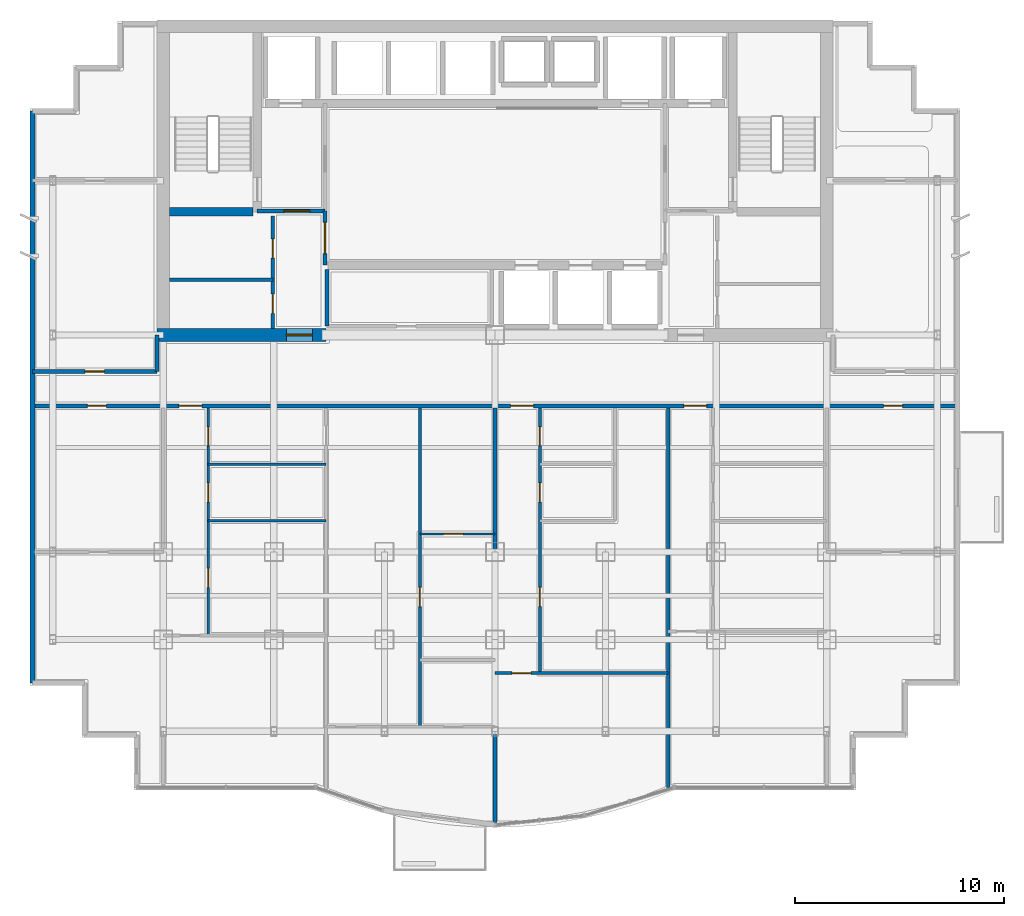
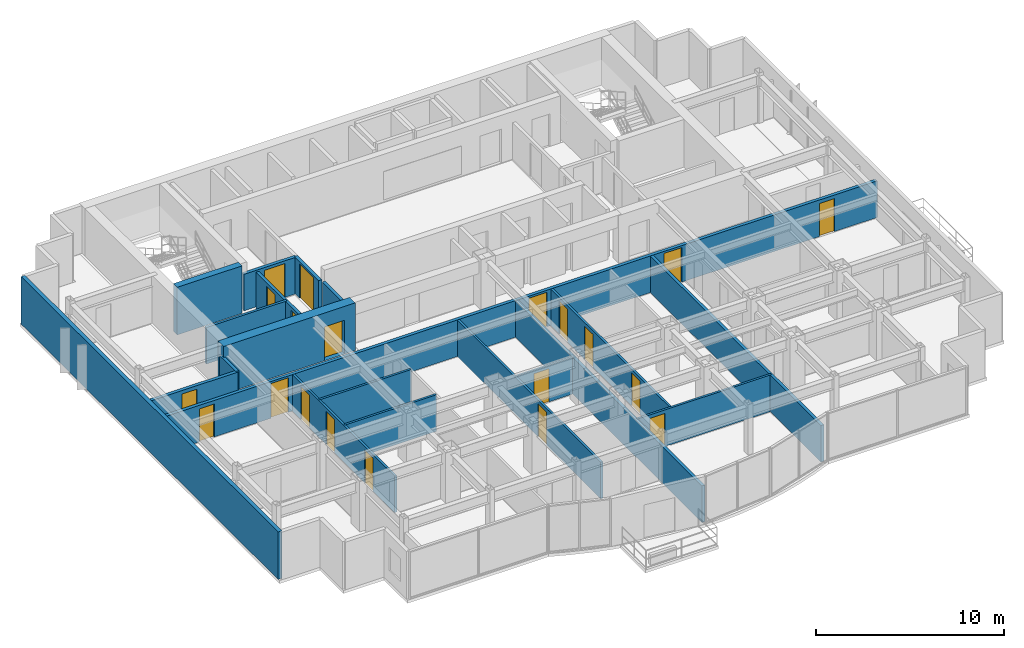
# One storey, part 6 of 11: 20 doors, 20 walls, 20 openings.
"""IFC4 building model written with IfcOpenShell, lengths in metres."""

from ifc_helpers import new_model, si_unit, direction, frame, frame_2d, origin, place, context, subcontext, project, spatial, rectangle, extrude, material, layer, layer_set, type_object, element, fill, save


model = new_model("IFC4")

# Units and contexts
model_context = context("Model", 3, precision=1e-05, world=origin(), true_north=direction((0.0, 1.0)))
body_context = subcontext(model_context, "Body", "Model", "MODEL_VIEW")
ifc_project = project(units=[si_unit("LENGTHUNIT", "METRE"), si_unit("AREAUNIT", "SQUARE_METRE"), si_unit("VOLUMEUNIT", "CUBIC_METRE"), si_unit("PLANEANGLEUNIT", "RADIAN"), si_unit("MASSUNIT", "GRAM", prefix="KILO")], contexts=[model_context])

# Site, building, storey
site_placement = place(None, origin())
site = spatial("IfcSite", under=ifc_project, at=site_placement, CompositionType="ELEMENT")
building_placement = place(site_placement, origin())
building = spatial("IfcBuilding", under=site, at=building_placement, Name="Qianlan Lanfeng Residences", CompositionType="ELEMENT")
storey_placement = place(building_placement, frame((0.0, 0.0, 149.10009765625)))
storey = spatial("IfcBuildingStorey", under=building, at=storey_placement, Name="L40", CompositionType="ELEMENT", Elevation=149.10009765625)

# Wall
ifc_material_1 = material(Name="Concrete C56", Category="concrete")
ifc_layer_1 = layer(ifc_material_1, 0.39990234375)
ifc_layer_set_1 = layer_set([ifc_layer_1], Name="Concrete C56")
wall_type_1 = type_object("IfcWallType", Name="CW-RC-400", PredefinedType="SHEAR", material=ifc_layer_set_1)
wall_1_placement = place(storey_placement, frame((10.89990234375, 31.10009765625, 0.0), z_axis=(0.0, 0.0, 1.0), x_axis=(1.0, 0.0, 0.0)))
element("IfcWall", 1, at=wall_1_placement, inside=storey, type_object=wall_type_1, Name="L40 Core Shear Wall ST1S", PredefinedType="SHEAR", context=body_context, shape_type="SweptSolid", body=[
    extrude(rectangle(XDim=4.0, YDim=0.39990234375, at=frame_2d((2.0, 0.0))), origin(), (0.0, 0.0, 1.0), 3.099853515625),
])

# Wall, opening, door
ifc_layer_2 = layer(ifc_material_1, 0.60009765625)
ifc_layer_set_2 = layer_set([ifc_layer_2], Name="Concrete C56")
wall_type_2 = type_object("IfcWallType", Name="CW-RC-600", PredefinedType="SHEAR", material=ifc_layer_set_2)
wall_2_placement = place(storey_placement, frame((10.300048828125, 25.199951171875, 0.0), z_axis=(0.0, 0.0, 1.0), x_axis=(1.0, 0.0, 0.0)))
wall_2 = element("IfcWall", 2, at=wall_2_placement, inside=storey, type_object=wall_type_2, Name="L40 Core Shear Wall SW", PredefinedType="SHEAR", context=body_context, shape_type="SweptSolid", body=[
    extrude(rectangle(XDim=8.099853515625, YDim=0.60009765625, at=frame_2d((4.0498046875, 0.0))), origin(), (0.0, 0.0, 1.0), 3.099853515625),
])
opening_1_placement = place(wall_2_placement, frame((6.199951171875, 0.0, 0.0)))
opening_1 = element("IfcOpeningElement", 3, at=opening_1_placement, cuts=wall_2, Name="Opening L40-D01", PredefinedType="OPENING", context=body_context, shape_type="SweptSolid", body=[
    extrude(rectangle(XDim=1.25, YDim=2.199951171875, at=frame_2d((0.625, 1.10009765625))), frame((0.0, 0.31005859375, 0.0), z_axis=(0.0, -1.0, 0.0), x_axis=(1.0, 0.0, 0.0)), (0.0, 0.0, 1.0), 0.6201171875),
])
ifc_material_2 = material(Name="Painted Galvanised Steel Fire Door", Category="steel")
door_type_1 = type_object("IfcDoorType", Name="DT-FFL", OperationType="NOTDEFINED", PredefinedType="DOOR", material=ifc_material_2)
door_1_placement = place(opening_1_placement, frame((1.25, 0.0, 0.0), z_axis=(0.0, 0.0, 1.0), x_axis=(-1.0, 0.0, 0.0)))
door_1 = element("IfcDoor", 4, at=door_1_placement, inside=storey, type_object=door_type_1, Name="L40 West Core Lobby Smoke Door L40-D01 (DT-FFL)", OperationType="SINGLE_SWING_RIGHT", OverallHeight=2.199951171875, OverallWidth=1.25, PredefinedType="DOOR", context=body_context, shape_type="SweptSolid", body=[
    extrude(rectangle(XDim=1.25, YDim=2.199951171875, at=frame_2d((0.625, 1.10009765625))), frame((0.0, 0.02490234375, 0.0), z_axis=(0.0, -1.0, 0.0), x_axis=(1.0, 0.0, 0.0)), (0.0, 0.0, 1.0), 0.050048828125),
])
fill(opening_1, door_1)

# Wall
ifc_material_3 = material(Name="Concrete C42", Category="concrete")
ifc_layer_3 = layer(ifc_material_3, 0.239990234375)
ifc_layer_set_3 = layer_set([ifc_layer_3], Name="Concrete C42")
wall_type_3 = type_object("IfcWallType", Name="EW-240", PredefinedType="SOLIDWALL", material=ifc_layer_set_3)
wall_3_placement = place(storey_placement, frame((4.320068359375, 35.929931640625, 0.0), z_axis=(0.0, 0.0, 1.0), x_axis=(0.0, -1.0, 0.0)))
element("IfcWall", 5, at=wall_3_placement, inside=storey, type_object=wall_type_3, Name="L40 Exterior Facade Spandrel Wall 21", PredefinedType="SOLIDWALL", context=body_context, shape_type="SweptSolid", body=[
    extrude(rectangle(XDim=27.409912109375, YDim=0.239990234375, at=frame_2d((13.705078125, 0.0))), origin(), (0.0, 0.0, 1.0), 3.099853515625),
])

# Wall, opening, door
ifc_material_4 = material(Name="Demountable Acoustic Framing Partition 110 mm")
ifc_layer_4 = layer(ifc_material_4, 0.110107421875)
ifc_layer_set_4 = layer_set([ifc_layer_4], Name="Demountable Acoustic Framing Partition 110 mm")
wall_type_4 = type_object("IfcWallType", Name="PW-110", PredefinedType="MOVABLE", material=ifc_layer_set_4)
wall_4_placement = place(storey_placement, frame((22.89990234375, 15.662109375, 0.0), z_axis=(0.0, 0.0, 1.0), x_axis=(1.0, 0.0, 0.0)))
wall_4 = element("IfcWall", 6, at=wall_4_placement, inside=storey, type_object=wall_type_4, Name="L40 U01 Wardrobe Split", PredefinedType="MOVABLE", context=body_context, shape_type="SweptSolid", body=[
    extrude(rectangle(XDim=3.60009765625, YDim=0.110107421875, at=frame_2d((1.800048828125, 0.0))), origin(), (0.0, 0.0, 1.0), 2.3798828125),
])
opening_2_placement = place(wall_4_placement, frame((1.139892578125, 0.0, 0.0)))
opening_2 = element("IfcOpeningElement", 7, at=opening_2_placement, cuts=wall_4, Name="Opening L40-D25", PredefinedType="OPENING", context=body_context, shape_type="SweptSolid", body=[
    extrude(rectangle(XDim=0.919921875, YDim=2.14990234375, at=frame_2d((0.4599609375, 1.074951171875))), frame((0.0, 0.06494140625, 0.0), z_axis=(0.0, -1.0, 0.0), x_axis=(1.0, 0.0, 0.0)), (0.0, 0.0, 1.0), 0.130126953125),
])
ifc_material_5 = material(Name="Glazed Timber Kitchen/Study Door", Category="wood")
door_type_2 = type_object("IfcDoorType", Name="DT-INT", OperationType="NOTDEFINED", PredefinedType="DOOR", material=ifc_material_5)
door_2_placement = place(opening_2_placement, origin())
door_2 = element("IfcDoor", 8, at=door_2_placement, inside=storey, type_object=door_type_2, Name="L40 U01 Dressing Inner Door L40-D25 (DT-INT)", OperationType="SINGLE_SWING_LEFT", OverallHeight=2.14990234375, OverallWidth=0.919921875, PredefinedType="DOOR", context=body_context, shape_type="SweptSolid", body=[
    extrude(rectangle(XDim=0.919921875, YDim=2.14990234375, at=frame_2d((0.4599609375, 1.074951171875))), frame((0.0, 0.02490234375, 0.0), z_axis=(0.0, -1.0, 0.0), x_axis=(1.0, 0.0, 0.0)), (0.0, 0.0, 1.0), 0.050048828125),
])
fill(opening_2, door_2)

# Wall, openings, doors
ifc_material_6 = material(Name="Moisture-Resistant Gypsum Partition 135 mm")
ifc_layer_5 = layer(ifc_material_6, 0.135009765625)
ifc_layer_set_5 = layer_set([ifc_layer_5], Name="Moisture-Resistant Gypsum Partition 135 mm")
wall_type_5 = type_object("IfcWallType", Name="PW-135", PredefinedType="PARTITIONING", material=ifc_layer_set_5)
wall_5_placement = place(storey_placement, frame((12.75, 10.799072265625, 0.0), z_axis=(0.0, 0.0, 1.0), x_axis=(0.0, 1.0, 0.0)))
wall_5 = element("IfcWall", 9, at=wall_5_placement, inside=storey, type_object=wall_type_5, Name="L40 U01 Entry Hall Spine", PredefinedType="PARTITIONING", context=body_context, shape_type="SweptSolid", body=[
    extrude(rectangle(XDim=10.90087890625, YDim=0.135009765625, at=frame_2d((5.450439453125, 0.0))), origin(), (0.0, 0.0, 1.0), 2.3798828125),
])
opening_3_placement = place(wall_5_placement, frame((2.291015625, 0.0, 0.0)))
opening_3 = element("IfcOpeningElement", 10, at=opening_3_placement, cuts=wall_5, Name="Opening L40-D19", PredefinedType="OPENING", context=body_context, shape_type="SweptSolid", body=[
    extrude(rectangle(XDim=0.919921875, YDim=2.14990234375, at=frame_2d((0.4599609375, 1.074951171875))), frame((0.0, 0.07763671875, 0.0), z_axis=(0.0, -1.0, 0.0), x_axis=(1.0, 0.0, 0.0)), (0.0, 0.0, 1.0), 0.155029296875),
])
opening_4_placement = place(wall_5_placement, frame((6.39111328125, 0.0, 0.0)))
opening_4 = element("IfcOpeningElement", 11, at=opening_4_placement, cuts=wall_5, Name="Opening L40-D20", PredefinedType="OPENING", context=body_context, shape_type="SweptSolid", body=[
    extrude(rectangle(XDim=0.919921875, YDim=2.14990234375, at=frame_2d((0.4599609375, 1.074951171875))), frame((0.0, 0.07763671875, 0.0), z_axis=(0.0, -1.0, 0.0), x_axis=(1.0, 0.0, 0.0)), (0.0, 0.0, 1.0), 0.155029296875),
])
opening_5_placement = place(wall_5_placement, frame((9.10107421875, 0.0, 0.0)))
opening_5 = element("IfcOpeningElement", 12, at=opening_5_placement, cuts=wall_5, Name="Opening L40-D21", PredefinedType="OPENING", context=body_context, shape_type="SweptSolid", body=[
    extrude(rectangle(XDim=0.89990234375, YDim=2.14990234375, at=frame_2d((0.449951171875, 1.074951171875))), frame((0.0, 0.07763671875, 0.0), z_axis=(0.0, -1.0, 0.0), x_axis=(1.0, 0.0, 0.0)), (0.0, 0.0, 1.0), 0.155029296875),
])
door_3_placement = place(opening_3_placement, origin())
door_3 = element("IfcDoor", 13, at=door_3_placement, inside=storey, type_object=door_type_2, Name="L40 U01 Study Door L40-D19 (DT-INT)", OperationType="SINGLE_SWING_LEFT", OverallHeight=2.14990234375, OverallWidth=0.919921875, PredefinedType="DOOR", context=body_context, shape_type="SweptSolid", body=[
    extrude(rectangle(XDim=0.919921875, YDim=2.14990234375, at=frame_2d((0.4599609375, 1.074951171875))), frame((0.0, 0.02490234375, 0.0), z_axis=(0.0, -1.0, 0.0), x_axis=(1.0, 0.0, 0.0)), (0.0, 0.0, 1.0), 0.050048828125),
])
fill(opening_3, door_3)
door_4_placement = place(opening_4_placement, origin())
door_4 = element("IfcDoor", 14, at=door_4_placement, inside=storey, type_object=door_type_2, Name="L40 U01 Kitchen Door L40-D20 (DT-INT)", OperationType="SINGLE_SWING_RIGHT", OverallHeight=2.14990234375, OverallWidth=0.919921875, PredefinedType="DOOR", context=body_context, shape_type="SweptSolid", body=[
    extrude(rectangle(XDim=0.919921875, YDim=2.14990234375, at=frame_2d((0.4599609375, 1.074951171875))), frame((0.0, 0.02490234375, 0.0), z_axis=(0.0, -1.0, 0.0), x_axis=(1.0, 0.0, 0.0)), (0.0, 0.0, 1.0), 0.050048828125),
])
fill(opening_4, door_4)
ifc_material_7 = material(Name="Moisture-Resistant Timber Leaf", Category="wood")
door_type_3 = type_object("IfcDoorType", Name="DT-WC", OperationType="NOTDEFINED", PredefinedType="DOOR", material=ifc_material_7)
door_5_placement = place(opening_5_placement, origin())
door_5 = element("IfcDoor", 15, at=door_5_placement, inside=storey, type_object=door_type_3, Name="L40 U01 Bathroom Door L40-D21 (DT-WC)", OperationType="SINGLE_SWING_LEFT", OverallHeight=2.14990234375, OverallWidth=0.89990234375, PredefinedType="DOOR", context=body_context, shape_type="SweptSolid", body=[
    extrude(rectangle(XDim=0.89990234375, YDim=2.14990234375, at=frame_2d((0.449951171875, 1.074951171875))), frame((0.0, 0.02490234375, 0.0), z_axis=(0.0, -1.0, 0.0), x_axis=(1.0, 0.0, 0.0)), (0.0, 0.0, 1.0), 0.050048828125),
])
fill(opening_5, door_5)

# Walls
for number, where, z_axis, x_axis, name in (
    (16, (12.75, 16.300048828125, 0.0), (0.0, 0.0, 1.0), (1.0, 0.0, 0.0), "L40 U01 Kitchen South Wall"),
    (17, (12.75, 19.0, 0.0), (0.0, 0.0, 1.0), (1.0, 0.0, 0.0), "L40 U01 Bathroom South Wall"),
):
    element("IfcWall", number, at=place(storey_placement, frame(where, z_axis=z_axis, x_axis=x_axis)), inside=storey, type_object=wall_type_5, Name=name, PredefinedType="PARTITIONING", context=body_context, shape_type="SweptSolid", body=[
        extrude(rectangle(XDim=5.64990234375, YDim=0.135009765625, at=frame_2d((2.824951171875, 0.0))), origin(), (0.0, 0.0, 1.0), 2.3798828125),
    ])

# Wall, opening, door
wall_6_placement = place(storey_placement, frame((22.89990234375, 6.424072265625, 0.0), z_axis=(0.0, 0.0, 1.0), x_axis=(0.0, 1.0, 0.0)))
wall_6 = element("IfcWall", 18, at=wall_6_placement, inside=storey, type_object=wall_type_5, Name="L40 U01 Master Passage Wall", PredefinedType="PARTITIONING", context=body_context, shape_type="SweptSolid", body=[
    extrude(rectangle(XDim=15.27587890625, YDim=0.135009765625, at=frame_2d((7.637939453125, 0.0))), origin(), (0.0, 0.0, 1.0), 2.3798828125),
])
opening_6_placement = place(wall_6_placement, frame((5.759033203125, 0.0, 0.0)))
opening_6 = element("IfcOpeningElement", 19, at=opening_6_placement, cuts=wall_6, Name="Opening L40-D24", PredefinedType="OPENING", context=body_context, shape_type="SweptSolid", body=[
    extrude(rectangle(XDim=0.919921875, YDim=2.14990234375, at=frame_2d((0.4599609375, 1.074951171875))), frame((0.0, 0.07763671875, 0.0), z_axis=(0.0, -1.0, 0.0), x_axis=(1.0, 0.0, 0.0)), (0.0, 0.0, 1.0), 0.155029296875),
])
door_6_placement = place(opening_6_placement, origin())
door_6 = element("IfcDoor", 20, at=door_6_placement, inside=storey, type_object=door_type_2, Name="L40 U01 Wardrobe Door L40-D24 (DT-INT)", OperationType="SINGLE_SWING_RIGHT", OverallHeight=2.14990234375, OverallWidth=0.919921875, PredefinedType="DOOR", context=body_context, shape_type="SweptSolid", body=[
    extrude(rectangle(XDim=0.919921875, YDim=2.14990234375, at=frame_2d((0.4599609375, 1.074951171875))), frame((0.0, 0.02490234375, 0.0), z_axis=(0.0, -1.0, 0.0), x_axis=(1.0, 0.0, 0.0)), (0.0, 0.0, 1.0), 0.050048828125),
])
fill(opening_6, door_6)

wall_7_placement = place(storey_placement, frame((26.5, 8.990966796875, 0.0), z_axis=(0.0, 0.0, 1.0), x_axis=(1.0, 0.0, 0.0)))
wall_7 = element("IfcWall", 21, at=wall_7_placement, inside=storey, type_object=wall_type_5, Name="L40 U02 Living Divider", PredefinedType="PARTITIONING", context=body_context, shape_type="SweptSolid", body=[
    extrude(rectangle(XDim=8.300048828125, YDim=0.135009765625, at=frame_2d((4.14990234375, 0.0))), origin(), (0.0, 0.0, 1.0), 2.3798828125),
])
opening_7_placement = place(wall_7_placement, frame((0.81494140625, 0.0, 0.0)))
opening_7 = element("IfcOpeningElement", 22, at=opening_7_placement, cuts=wall_7, Name="Opening L40-D27", PredefinedType="OPENING", context=body_context, shape_type="SweptSolid", body=[
    extrude(rectangle(XDim=0.919921875, YDim=2.14990234375, at=frame_2d((0.4599609375, 1.074951171875))), frame((0.0, 0.07763671875, 0.0), z_axis=(0.0, -1.0, 0.0), x_axis=(1.0, 0.0, 0.0)), (0.0, 0.0, 1.0), 0.155029296875),
])
door_7_placement = place(opening_7_placement, origin())
door_7 = element("IfcDoor", 23, at=door_7_placement, inside=storey, type_object=door_type_2, Name="L40 U02 Living Passage Door L40-D27 (DT-INT)", OperationType="SINGLE_SWING_LEFT", OverallHeight=2.14990234375, OverallWidth=0.919921875, PredefinedType="DOOR", context=body_context, shape_type="SweptSolid", body=[
    extrude(rectangle(XDim=0.919921875, YDim=2.14990234375, at=frame_2d((0.4599609375, 1.074951171875))), frame((0.0, 0.02490234375, 0.0), z_axis=(0.0, -1.0, 0.0), x_axis=(1.0, 0.0, 0.0)), (0.0, 0.0, 1.0), 0.050048828125),
])
fill(opening_7, door_7)

# Wall, openings, doors
wall_8_placement = place(storey_placement, frame((28.64990234375, 8.990966796875, 0.0), z_axis=(0.0, 0.0, 1.0), x_axis=(0.0, 1.0, 0.0)))
wall_8 = element("IfcWall", 24, at=wall_8_placement, inside=storey, type_object=wall_type_5, Name="L40 U02 Entry Hall Spine", PredefinedType="PARTITIONING", context=body_context, shape_type="SweptSolid", body=[
    extrude(rectangle(XDim=12.708984375, YDim=0.135009765625, at=frame_2d((6.3544921875, 0.0))), origin(), (0.0, 0.0, 1.0), 2.3798828125),
])
opening_8_placement = place(wall_8_placement, frame((3.195068359375, 0.0, 0.0)))
opening_8 = element("IfcOpeningElement", 25, at=opening_8_placement, cuts=wall_8, Name="Opening L40-D28", PredefinedType="OPENING", context=body_context, shape_type="SweptSolid", body=[
    extrude(rectangle(XDim=0.919921875, YDim=2.14990234375, at=frame_2d((0.4599609375, 1.074951171875))), frame((0.0, 0.07763671875, 0.0), z_axis=(0.0, -1.0, 0.0), x_axis=(1.0, 0.0, 0.0)), (0.0, 0.0, 1.0), 0.155029296875),
])
opening_9_placement = place(wall_8_placement, frame((8.198974609375, 0.0, 0.0)))
opening_9 = element("IfcOpeningElement", 26, at=opening_9_placement, cuts=wall_8, Name="Opening L40-D29", PredefinedType="OPENING", context=body_context, shape_type="SweptSolid", body=[
    extrude(rectangle(XDim=0.919921875, YDim=2.14990234375, at=frame_2d((0.4599609375, 1.074951171875))), frame((0.0, 0.07763671875, 0.0), z_axis=(0.0, -1.0, 0.0), x_axis=(1.0, 0.0, 0.0)), (0.0, 0.0, 1.0), 0.155029296875),
])
opening_10_placement = place(wall_8_placement, frame((10.908935546875, 0.0, 0.0)))
opening_10 = element("IfcOpeningElement", 27, at=opening_10_placement, cuts=wall_8, Name="Opening L40-D30", PredefinedType="OPENING", context=body_context, shape_type="SweptSolid", body=[
    extrude(rectangle(XDim=0.89990234375, YDim=2.14990234375, at=frame_2d((0.449951171875, 1.074951171875))), frame((0.0, 0.07763671875, 0.0), z_axis=(0.0, -1.0, 0.0), x_axis=(1.0, 0.0, 0.0)), (0.0, 0.0, 1.0), 0.155029296875),
])
door_8_placement = place(opening_8_placement, origin())
door_8 = element("IfcDoor", 28, at=door_8_placement, inside=storey, type_object=door_type_2, Name="L40 U02 Study Door L40-D28 (DT-INT)", OperationType="SINGLE_SWING_RIGHT", OverallHeight=2.14990234375, OverallWidth=0.919921875, PredefinedType="DOOR", context=body_context, shape_type="SweptSolid", body=[
    extrude(rectangle(XDim=0.919921875, YDim=2.14990234375, at=frame_2d((0.4599609375, 1.074951171875))), frame((0.0, 0.02490234375, 0.0), z_axis=(0.0, -1.0, 0.0), x_axis=(1.0, 0.0, 0.0)), (0.0, 0.0, 1.0), 0.050048828125),
])
fill(opening_8, door_8)
door_9_placement = place(opening_9_placement, origin())
door_9 = element("IfcDoor", 29, at=door_9_placement, inside=storey, type_object=door_type_2, Name="L40 U02 Kitchen Door L40-D29 (DT-INT)", OperationType="SINGLE_SWING_LEFT", OverallHeight=2.14990234375, OverallWidth=0.919921875, PredefinedType="DOOR", context=body_context, shape_type="SweptSolid", body=[
    extrude(rectangle(XDim=0.919921875, YDim=2.14990234375, at=frame_2d((0.4599609375, 1.074951171875))), frame((0.0, 0.02490234375, 0.0), z_axis=(0.0, -1.0, 0.0), x_axis=(1.0, 0.0, 0.0)), (0.0, 0.0, 1.0), 0.050048828125),
])
fill(opening_9, door_9)
door_10_placement = place(opening_10_placement, origin())
door_10 = element("IfcDoor", 30, at=door_10_placement, inside=storey, type_object=door_type_3, Name="L40 U02 Bathroom Door L40-D30 (DT-WC)", OperationType="SINGLE_SWING_RIGHT", OverallHeight=2.14990234375, OverallWidth=0.89990234375, PredefinedType="DOOR", context=body_context, shape_type="SweptSolid", body=[
    extrude(rectangle(XDim=0.89990234375, YDim=2.14990234375, at=frame_2d((0.449951171875, 1.074951171875))), frame((0.0, 0.02490234375, 0.0), z_axis=(0.0, -1.0, 0.0), x_axis=(1.0, 0.0, 0.0)), (0.0, 0.0, 1.0), 0.050048828125),
])
fill(opening_10, door_10)

# Wall
ifc_material_8 = material(Name="Acoustic Drywall Partition 150 mm")
ifc_layer_6 = layer(ifc_material_8, 0.14990234375)
ifc_layer_set_6 = layer_set([ifc_layer_6], Name="Acoustic Drywall Partition 150 mm")
wall_type_6 = type_object("IfcWallType", Name="PW-150", PredefinedType="PARTITIONING", material=ifc_layer_set_6)
wall_9_placement = place(storey_placement, frame((10.89990234375, 27.85009765625, 0.0), z_axis=(0.0, 0.0, 1.0), x_axis=(1.0, 0.0, 0.0)))
element("IfcWall", 31, at=wall_9_placement, inside=storey, type_object=wall_type_6, Name="L40 Core West Split", PredefinedType="PARTITIONING", context=body_context, shape_type="SweptSolid", body=[
    extrude(rectangle(XDim=4.9501953125, YDim=0.14990234375, at=frame_2d((2.47509765625, 0.0))), origin(), (0.0, 0.0, 1.0), 2.3798828125),
])

# Wall, openings, doors
ifc_material_9 = material(Name="Double-Layer Acoustic Gypsum Stud Wall 180 mm")
ifc_layer_7 = layer(ifc_material_9, 0.179931640625)
ifc_layer_set_7 = layer_set([ifc_layer_7], Name="Double-Layer Acoustic Gypsum Stud Wall 180 mm")
wall_type_7 = type_object("IfcWallType", Name="PW-180", PredefinedType="PARTITIONING", material=ifc_layer_set_7)
wall_10_placement = place(storey_placement, frame((15.85009765625, 25.5, 0.0), z_axis=(0.0, 0.0, 1.0), x_axis=(0.0, 1.0, 0.0)))
wall_10 = element("IfcWall", 32, at=wall_10_placement, inside=storey, type_object=wall_type_7, Name="L40 Core West Service Room Wall", PredefinedType="PARTITIONING", context=body_context, shape_type="SweptSolid", body=[
    extrude(rectangle(XDim=5.39990234375, YDim=0.179931640625, at=frame_2d((2.699951171875, 0.0))), origin(), (0.0, 0.0, 1.0), 2.3798828125),
])
opening_11_placement = place(wall_10_placement, frame((0.739990234375, 0.0, 0.0)))
opening_11 = element("IfcOpeningElement", 33, at=opening_11_placement, cuts=wall_10, Name="Opening L40-D09", PredefinedType="OPENING", context=body_context, shape_type="SweptSolid", body=[
    extrude(rectangle(XDim=0.919921875, YDim=2.14990234375, at=frame_2d((0.4599609375, 1.074951171875))), frame((0.0, 0.10009765625, 0.0), z_axis=(0.0, -1.0, 0.0), x_axis=(1.0, 0.0, 0.0)), (0.0, 0.0, 1.0), 0.199951171875),
])
opening_12_placement = place(wall_10_placement, frame((3.389892578125, 0.0, 0.0)))
opening_12 = element("IfcOpeningElement", 34, at=opening_12_placement, cuts=wall_10, Name="Opening L40-D10", PredefinedType="OPENING", context=body_context, shape_type="SweptSolid", body=[
    extrude(rectangle(XDim=0.919921875, YDim=2.14990234375, at=frame_2d((0.4599609375, 1.074951171875))), frame((0.0, 0.10009765625, 0.0), z_axis=(0.0, -1.0, 0.0), x_axis=(1.0, 0.0, 0.0)), (0.0, 0.0, 1.0), 0.199951171875),
])
door_11_placement = place(opening_11_placement, origin())
door_11 = element("IfcDoor", 35, at=door_11_placement, inside=storey, type_object=door_type_2, Name="L40 Parcel Room Door L40-D09 (DT-INT)", OperationType="SINGLE_SWING_LEFT", OverallHeight=2.14990234375, OverallWidth=0.919921875, PredefinedType="DOOR", context=body_context, shape_type="SweptSolid", body=[
    extrude(rectangle(XDim=0.919921875, YDim=2.14990234375, at=frame_2d((0.4599609375, 1.074951171875))), frame((0.0, 0.02490234375, 0.0), z_axis=(0.0, -1.0, 0.0), x_axis=(1.0, 0.0, 0.0)), (0.0, 0.0, 1.0), 0.050048828125),
])
fill(opening_11, door_11)
door_12_placement = place(opening_12_placement, origin())
door_12 = element("IfcDoor", 36, at=door_12_placement, inside=storey, type_object=door_type_2, Name="L40 Janitor Closet Door L40-D10 (DT-INT)", OperationType="SINGLE_SWING_RIGHT", OverallHeight=2.14990234375, OverallWidth=0.919921875, PredefinedType="DOOR", context=body_context, shape_type="SweptSolid", body=[
    extrude(rectangle(XDim=0.919921875, YDim=2.14990234375, at=frame_2d((0.4599609375, 1.074951171875))), frame((0.0, 0.02490234375, 0.0), z_axis=(0.0, -1.0, 0.0), x_axis=(1.0, 0.0, 0.0)), (0.0, 0.0, 1.0), 0.050048828125),
])
fill(opening_12, door_12)

# Walls
wall_11_placement = place(storey_placement, frame((18.449951171875, 25.6201171875, 0.0), z_axis=(0.0, 0.0, 1.0), x_axis=(0.0, 1.0, 0.0)))
element("IfcWall", 37, at=wall_11_placement, inside=storey, type_object=wall_type_7, Name="L40 Reclaimed Low-Bank Room West Wall", PredefinedType="PARTITIONING", context=body_context, shape_type="SweptSolid", body=[
    extrude(rectangle(XDim=2.72998046875, YDim=0.179931640625, at=frame_2d((1.364990234375, 0.0))), origin(), (0.0, 0.0, 1.0), 2.3798828125),
])
wall_12_placement = place(storey_placement, frame((26.5, 1.820068359375, 0.0), z_axis=(0.0, 0.0, 1.0), x_axis=(0.0, 1.0, 0.0)))
element("IfcWall", 38, at=wall_12_placement, inside=storey, type_object=wall_type_7, Name="L40 Inter-Tenancy Party Wall 2", PredefinedType="PARTITIONING", context=body_context, shape_type="SweptSolid", body=[
    extrude(rectangle(XDim=19.8798828125, YDim=0.179931640625, at=frame_2d((9.93994140625, 0.0))), origin(), (0.0, 0.0, 1.0), 2.3798828125),
])
wall_13_placement = place(storey_placement, frame((34.800048828125, 3.510986328125, 0.0), z_axis=(0.0, 0.0, 1.0), x_axis=(0.0, 1.0, 0.0)))
element("IfcWall", 39, at=wall_13_placement, inside=storey, type_object=wall_type_7, Name="L40 Inter-Tenancy Party Wall 3", PredefinedType="PARTITIONING", context=body_context, shape_type="SweptSolid", body=[
    extrude(rectangle(XDim=18.18896484375, YDim=0.179931640625, at=frame_2d((9.094482421875, 0.0))), origin(), (0.0, 0.0, 1.0), 2.3798828125),
])

# Wall, opening, door
ifc_material_10 = material(Name="Autoclaved Aerated Concrete Blockwork 200 mm", Category="masonry")
ifc_layer_8 = layer(ifc_material_10, 0.199951171875)
ifc_layer_set_8 = layer_set([ifc_layer_8], Name="Autoclaved Aerated Concrete Blockwork 200 mm")
wall_type_8 = type_object("IfcWallType", Name="PW-200", PredefinedType="PARTITIONING", material=ifc_layer_set_8)
wall_14_placement = place(storey_placement, frame((15.10009765625, 31.14990234375, 0.0), z_axis=(0.0, 0.0, 1.0), x_axis=(1.0, 0.0, 0.0)))
wall_14 = element("IfcWall", 40, at=wall_14_placement, inside=storey, type_object=wall_type_8, Name="L40 Firefighting Lobby 1 South Wall", PredefinedType="PARTITIONING", context=body_context, shape_type="SweptSolid", body=[
    extrude(rectangle(XDim=3.25, YDim=0.199951171875, at=frame_2d((1.625, 0.0))), origin(), (0.0, 0.0, 1.0), 2.3798828125),
])
opening_13_placement = place(wall_14_placement, frame((1.27490234375, 0.0, 0.0)))
opening_13 = element("IfcOpeningElement", 41, at=opening_13_placement, cuts=wall_14, Name="Opening L40-D03", PredefinedType="OPENING", context=body_context, shape_type="SweptSolid", body=[
    extrude(rectangle(XDim=1.25, YDim=2.199951171875, at=frame_2d((0.625, 1.10009765625))), frame((0.0, 0.10986328125, 0.0), z_axis=(0.0, -1.0, 0.0), x_axis=(1.0, 0.0, 0.0)), (0.0, 0.0, 1.0), 0.219970703125),
])
door_13_placement = place(opening_13_placement, origin())
door_13 = element("IfcDoor", 42, at=door_13_placement, inside=storey, type_object=door_type_1, Name="L40 Firefighting Lobby 1 Entry Door L40-D03 (DT-FFL)", OperationType="SINGLE_SWING_LEFT", OverallHeight=2.199951171875, OverallWidth=1.25, PredefinedType="DOOR", context=body_context, shape_type="SweptSolid", body=[
    extrude(rectangle(XDim=1.25, YDim=2.199951171875, at=frame_2d((0.625, 1.10009765625))), frame((0.0, 0.02490234375, 0.0), z_axis=(0.0, -1.0, 0.0), x_axis=(1.0, 0.0, 0.0)), (0.0, 0.0, 1.0), 0.050048828125),
])
fill(opening_13, door_13)

wall_15_placement = place(storey_placement, frame((18.35009765625, 28.550048828125, 0.0), z_axis=(0.0, 0.0, 1.0), x_axis=(0.0, 1.0, 0.0)))
wall_15 = element("IfcWall", 43, at=wall_15_placement, inside=storey, type_object=wall_type_8, Name="L40 Lift Lobby West Connector Wall", PredefinedType="PARTITIONING", context=body_context, shape_type="SweptSolid", body=[
    extrude(rectangle(XDim=2.599853515625, YDim=0.199951171875, at=frame_2d((1.2998046875, 0.0))), origin(), (0.0, 0.0, 1.0), 2.3798828125),
])
opening_14_placement = place(wall_15_placement, frame((0.550048828125, 0.0, 0.0)))
opening_14 = element("IfcOpeningElement", 44, at=opening_14_placement, cuts=wall_15, Name="Opening L40-D13", PredefinedType="OPENING", context=body_context, shape_type="SweptSolid", body=[
    extrude(rectangle(XDim=1.5, YDim=2.25, at=frame_2d((0.75, 1.125))), frame((0.0, 0.10986328125, 0.0), z_axis=(0.0, -1.0, 0.0), x_axis=(1.0, 0.0, 0.0)), (0.0, 0.0, 1.0), 0.219970703125),
])
ifc_material_11 = material(Name="Timber Veneer Acoustic Fire Door", Category="wood")
door_type_4 = type_object("IfcDoorType", Name="DT-COR1", OperationType="NOTDEFINED", PredefinedType="DOOR", material=ifc_material_11)
door_14_placement = place(opening_14_placement, origin())
door_14 = element("IfcDoor", 45, at=door_14_placement, inside=storey, type_object=door_type_4, Name="L40 Lift Lobby West Portal Door L40-D13 (DT-COR1)", OperationType="DOUBLE_DOOR_SINGLE_SWING", OverallHeight=2.25, OverallWidth=1.5, PredefinedType="DOOR", context=body_context, shape_type="SweptSolid", body=[
    extrude(rectangle(XDim=1.5, YDim=2.25, at=frame_2d((0.75, 1.125))), frame((0.0, 0.02490234375, 0.0), z_axis=(0.0, -1.0, 0.0), x_axis=(1.0, 0.0, 0.0)), (0.0, 0.0, 1.0), 0.050048828125),
])
fill(opening_14, door_14)

# Wall, openings, doors
wall_16_placement = place(storey_placement, frame((4.320068359375, 21.800048828125, 0.0), z_axis=(0.0, 0.0, 1.0), x_axis=(1.0, 0.0, 0.0)))
wall_16 = element("IfcWall", 46, at=wall_16_placement, inside=storey, type_object=wall_type_8, Name="L40 Residential Corridor South Fire Wall", PredefinedType="PARTITIONING", context=body_context, shape_type="SweptSolid", body=[
    extrude(rectangle(XDim=44.35986328125, YDim=0.199951171875, at=frame_2d((22.179931640625, 0.0))), origin(), (0.0, 0.0, 1.0), 2.3798828125),
])
opening_15_placement = place(wall_16_placement, frame((7.030029296875, 0.0, 0.0)))
opening_15 = element("IfcOpeningElement", 47, at=opening_15_placement, cuts=wall_16, Name="Opening L40-D16", PredefinedType="OPENING", context=body_context, shape_type="SweptSolid", body=[
    extrude(rectangle(XDim=1.10009765625, YDim=2.25, at=frame_2d((0.550048828125, 1.125))), frame((0.0, 0.10986328125, 0.0), z_axis=(0.0, -1.0, 0.0), x_axis=(1.0, 0.0, 0.0)), (0.0, 0.0, 1.0), 0.219970703125),
])
opening_16_placement = place(wall_16_placement, frame((22.929931640625, 0.0, 0.0)))
opening_16 = element("IfcOpeningElement", 48, at=opening_16_placement, cuts=wall_16, Name="Opening L40-D26", PredefinedType="OPENING", context=body_context, shape_type="SweptSolid", body=[
    extrude(rectangle(XDim=1.10009765625, YDim=2.25, at=frame_2d((0.550048828125, 1.125))), frame((0.0, 0.10986328125, 0.0), z_axis=(0.0, -1.0, 0.0), x_axis=(1.0, 0.0, 0.0)), (0.0, 0.0, 1.0), 0.219970703125),
])
opening_17_placement = place(wall_16_placement, frame((31.22998046875, 0.0, 0.0)))
opening_17 = element("IfcOpeningElement", 49, at=opening_17_placement, cuts=wall_16, Name="Opening L40-D31", PredefinedType="OPENING", context=body_context, shape_type="SweptSolid", body=[
    extrude(rectangle(XDim=1.10009765625, YDim=2.25, at=frame_2d((0.550048828125, 1.125))), frame((0.0, 0.10986328125, 0.0), z_axis=(0.0, -1.0, 0.0), x_axis=(1.0, 0.0, 0.0)), (0.0, 0.0, 1.0), 0.219970703125),
])
opening_18_placement = place(wall_16_placement, frame((2.635009765625, 0.0, 0.0)))
opening_18 = element("IfcOpeningElement", 50, at=opening_18_placement, cuts=wall_16, Name="Opening L40-D37", PredefinedType="OPENING", context=body_context, shape_type="SweptSolid", body=[
    extrude(rectangle(XDim=0.919921875, YDim=2.14990234375, at=frame_2d((0.4599609375, 1.074951171875))), frame((0.0, 0.10986328125, 0.0), z_axis=(0.0, -1.0, 0.0), x_axis=(1.0, 0.0, 0.0)), (0.0, 0.0, 1.0), 0.219970703125),
])
opening_19_placement = place(wall_16_placement, frame((40.804931640625, 0.0, 0.0)))
opening_19 = element("IfcOpeningElement", 51, at=opening_19_placement, cuts=wall_16, Name="Opening L40-D39", PredefinedType="OPENING", context=body_context, shape_type="SweptSolid", body=[
    extrude(rectangle(XDim=0.919921875, YDim=2.14990234375, at=frame_2d((0.4599609375, 1.074951171875))), frame((0.0, 0.10986328125, 0.0), z_axis=(0.0, -1.0, 0.0), x_axis=(1.0, 0.0, 0.0)), (0.0, 0.0, 1.0), 0.219970703125),
])
door_15_placement = place(opening_18_placement, origin())
door_15 = element("IfcDoor", 52, at=door_15_placement, inside=storey, type_object=door_type_2, Name="L40 SWP Corridor Door L40-D37 (DT-INT)", OperationType="SINGLE_SWING_LEFT", OverallHeight=2.14990234375, OverallWidth=0.919921875, PredefinedType="DOOR", context=body_context, shape_type="SweptSolid", body=[
    extrude(rectangle(XDim=0.919921875, YDim=2.14990234375, at=frame_2d((0.4599609375, 1.074951171875))), frame((0.0, 0.02490234375, 0.0), z_axis=(0.0, -1.0, 0.0), x_axis=(1.0, 0.0, 0.0)), (0.0, 0.0, 1.0), 0.050048828125),
])
fill(opening_18, door_15)
door_16_placement = place(opening_19_placement, origin())
door_16 = element("IfcDoor", 53, at=door_16_placement, inside=storey, type_object=door_type_2, Name="L40 SEP Corridor Door L40-D39 (DT-INT)", OperationType="SINGLE_SWING_LEFT", OverallHeight=2.14990234375, OverallWidth=0.919921875, PredefinedType="DOOR", context=body_context, shape_type="SweptSolid", body=[
    extrude(rectangle(XDim=0.919921875, YDim=2.14990234375, at=frame_2d((0.4599609375, 1.074951171875))), frame((0.0, 0.02490234375, 0.0), z_axis=(0.0, -1.0, 0.0), x_axis=(1.0, 0.0, 0.0)), (0.0, 0.0, 1.0), 0.050048828125),
])
fill(opening_19, door_16)
ifc_material_12 = material(Name="Solid-Core Oak Veneer Fire Door")
door_type_5 = type_object("IfcDoorType", Name="DT-UNIT", OperationType="NOTDEFINED", PredefinedType="DOOR", material=ifc_material_12)
door_17_placement = place(opening_15_placement, origin())
door_17 = element("IfcDoor", 54, at=door_17_placement, inside=storey, type_object=door_type_5, Name="L40 Apartment U01 Entrance Door L40-D16 (DT-UNIT)", OperationType="SINGLE_SWING_RIGHT", OverallHeight=2.25, OverallWidth=1.10009765625, PredefinedType="DOOR", context=body_context, shape_type="SweptSolid", body=[
    extrude(rectangle(XDim=1.10009765625, YDim=2.25, at=frame_2d((0.550048828125, 1.125))), frame((0.0, 0.02490234375, 0.0), z_axis=(0.0, -1.0, 0.0), x_axis=(1.0, 0.0, 0.0)), (0.0, 0.0, 1.0), 0.050048828125),
])
fill(opening_15, door_17)
door_18_placement = place(opening_16_placement, origin())
door_18 = element("IfcDoor", 55, at=door_18_placement, inside=storey, type_object=door_type_5, Name="L40 Apartment U02 Entrance Door L40-D26 (DT-UNIT)", OperationType="SINGLE_SWING_RIGHT", OverallHeight=2.25, OverallWidth=1.10009765625, PredefinedType="DOOR", context=body_context, shape_type="SweptSolid", body=[
    extrude(rectangle(XDim=1.10009765625, YDim=2.25, at=frame_2d((0.550048828125, 1.125))), frame((0.0, 0.02490234375, 0.0), z_axis=(0.0, -1.0, 0.0), x_axis=(1.0, 0.0, 0.0)), (0.0, 0.0, 1.0), 0.050048828125),
])
fill(opening_16, door_18)
door_19_placement = place(opening_17_placement, origin())
door_19 = element("IfcDoor", 56, at=door_19_placement, inside=storey, type_object=door_type_5, Name="L40 Apartment U03 Entrance Door L40-D31 (DT-UNIT)", OperationType="SINGLE_SWING_RIGHT", OverallHeight=2.25, OverallWidth=1.10009765625, PredefinedType="DOOR", context=body_context, shape_type="SweptSolid", body=[
    extrude(rectangle(XDim=1.10009765625, YDim=2.25, at=frame_2d((0.550048828125, 1.125))), frame((0.0, 0.02490234375, 0.0), z_axis=(0.0, -1.0, 0.0), x_axis=(1.0, 0.0, 0.0)), (0.0, 0.0, 1.0), 0.050048828125),
])
fill(opening_17, door_19)

# Wall, opening, door
wall_17_placement = place(storey_placement, frame((4.320068359375, 23.449951171875, 0.0), z_axis=(0.0, 0.0, 1.0), x_axis=(1.0, 0.0, 0.0)))
wall_17 = element("IfcWall", 57, at=wall_17_placement, inside=storey, type_object=wall_type_8, Name="L40 Corridor NW Wall", PredefinedType="PARTITIONING", context=body_context, shape_type="SweptSolid", body=[
    extrude(rectangle(XDim=5.97998046875, YDim=0.199951171875, at=frame_2d((2.989990234375, 0.0))), origin(), (0.0, 0.0, 1.0), 2.3798828125),
])
opening_20_placement = place(wall_17_placement, frame((2.530029296875, 0.0, 0.0)))
opening_20 = element("IfcOpeningElement", 58, at=opening_20_placement, cuts=wall_17, Name="Opening L40-D41", PredefinedType="OPENING", context=body_context, shape_type="SweptSolid", body=[
    extrude(rectangle(XDim=0.919921875, YDim=2.14990234375, at=frame_2d((0.4599609375, 1.074951171875))), frame((0.0, 0.10986328125, 0.0), z_axis=(0.0, -1.0, 0.0), x_axis=(1.0, 0.0, 0.0)), (0.0, 0.0, 1.0), 0.219970703125),
])
door_20_placement = place(opening_20_placement, origin())
door_20 = element("IfcDoor", 59, at=door_20_placement, inside=storey, type_object=door_type_2, Name="L40 WW Amenity Salon Door L40-D41 (DT-INT)", OperationType="SINGLE_SWING_LEFT", OverallHeight=2.14990234375, OverallWidth=0.919921875, PredefinedType="DOOR", context=body_context, shape_type="SweptSolid", body=[
    extrude(rectangle(XDim=0.919921875, YDim=2.14990234375, at=frame_2d((0.4599609375, 1.074951171875))), frame((0.0, 0.02490234375, 0.0), z_axis=(0.0, -1.0, 0.0), x_axis=(1.0, 0.0, 0.0)), (0.0, 0.0, 1.0), 0.050048828125),
])
fill(opening_20, door_20)

# Wall
wall_18_placement = place(storey_placement, frame((10.300048828125, 23.449951171875, 0.0), z_axis=(0.0, 0.0, 1.0), x_axis=(0.0, 1.0, 0.0)))
element("IfcWall", 60, at=wall_18_placement, inside=storey, type_object=wall_type_8, Name="L40 NW Wing Core Return Wall", PredefinedType="PARTITIONING", context=body_context, shape_type="SweptSolid", body=[
    extrude(rectangle(XDim=1.75, YDim=0.199951171875, at=frame_2d((0.875, 0.0))), origin(), (0.0, 0.0, 1.0), 2.3798828125),
])

save(model, "model.ifc")
